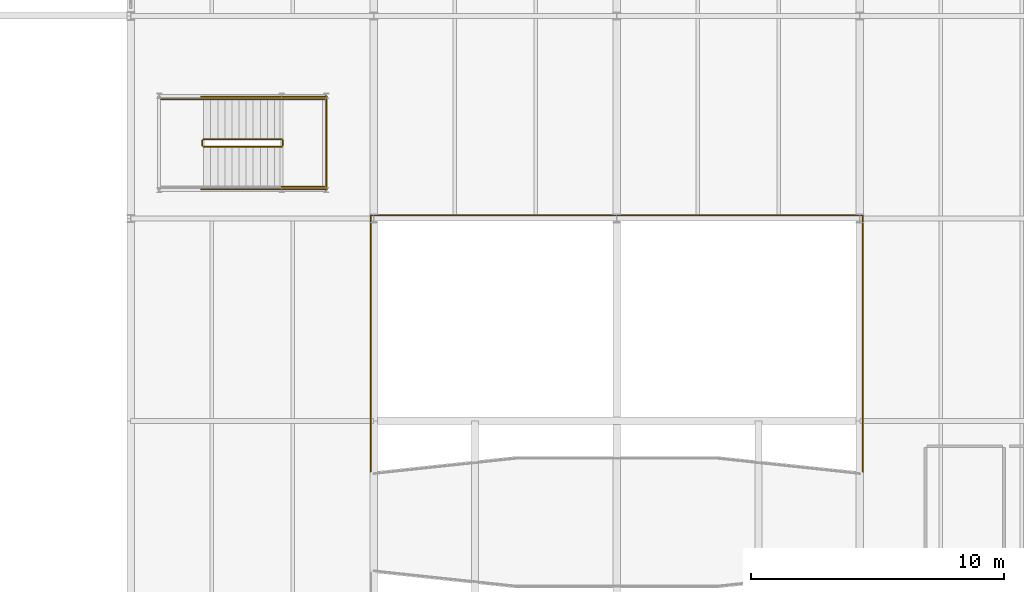
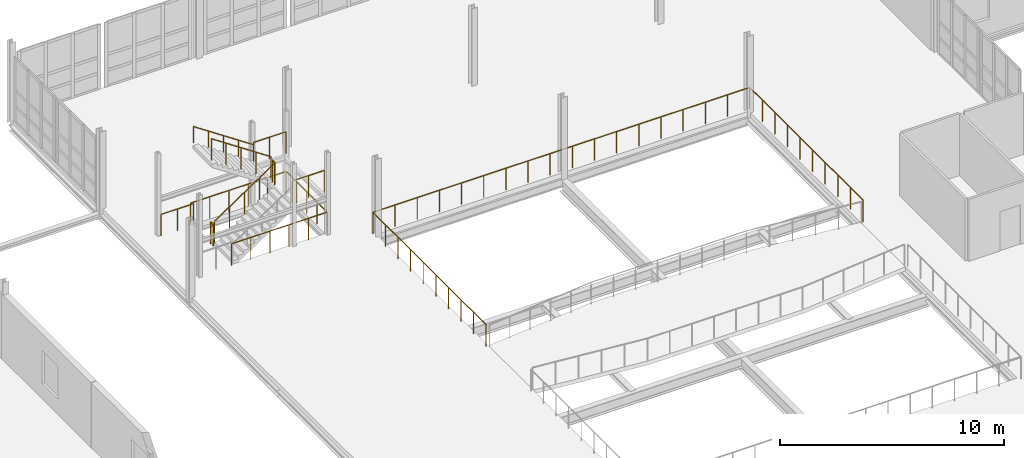
# One storey, part 69 of 73: 14 railings.
"""IFC4 building model written with IfcOpenShell, lengths in metres."""

from ifc_helpers import new_model, si_unit, direction, frame, origin, origin_2d, place, context, subcontext, project, spatial, circle, extrude, material, type_object, element, save


model = new_model("IFC4")

# Units and contexts
model_context = context("Model", 3, precision=1e-05, world=origin(), true_north=direction((0.0, 1.0)))
body_context = subcontext(model_context, "Body", "Model", "MODEL_VIEW")
ifc_project = project(units=[si_unit("LENGTHUNIT", "METRE"), si_unit("AREAUNIT", "SQUARE_METRE"), si_unit("VOLUMEUNIT", "CUBIC_METRE"), si_unit("PLANEANGLEUNIT", "RADIAN"), si_unit("MASSUNIT", "GRAM", prefix="KILO")], contexts=[model_context])

# Site, building, storey
site_placement = place(None, origin())
site = spatial("IfcSite", under=ifc_project, at=site_placement, CompositionType="ELEMENT")
building_placement = place(site_placement, origin())
building = spatial("IfcBuilding", under=site, at=building_placement, Name="Alderhovde Museum", CompositionType="ELEMENT")
storey_placement = place(building_placement, frame((0.0, 0.0, 12.89990234375)))
storey = spatial("IfcBuildingStorey", under=building, at=storey_placement, Name="L03", CompositionType="ELEMENT", Elevation=12.89990234375)

# Railings
ifc_material_1 = material(Name="Painted Steel S355 Guardrail", Category="steel")
railing_type_1 = type_object("IfcRailingType", Name="RL-GUARD-1200", PredefinedType="GUARDRAIL", material=ifc_material_1)
railing_1_placement = place(storey_placement, frame((79.679931640625, 74.830078125, 0.1875)))
element("IfcRailing", 1, at=railing_1_placement, inside=storey, type_object=railing_type_1, Name="L03 ST5 stair guard 1", PredefinedType="GUARDRAIL", context=body_context, shape_type="SweptSolid", body=[
    extrude(circle(Radius=0.02392578125, at=origin_2d()), frame((0.0, 0.0, 1.17578125), z_axis=(0.830913701846, 0.0, 0.55640131208), x_axis=(0.0, 1.0, 0.0)), (0.0, 0.0, 1.0), 3.706787109375),
    extrude(circle(Radius=0.02099609375, at=origin_2d()), origin(), (0.0, 0.0, 1.0), 1.15185546875),
    extrude(circle(Radius=0.02099609375, at=origin_2d()), frame((0.77001953125, 0.0, 0.515625)), (0.0, 0.0, 1.0), 1.15185546875),
    extrude(circle(Radius=0.02099609375, at=origin_2d()), frame((1.5400390625, 0.0, 1.03125)), (0.0, 0.0, 1.0), 1.15185546875),
    extrude(circle(Radius=0.02099609375, at=origin_2d()), frame((2.31005859375, 0.0, 1.546875)), (0.0, 0.0, 1.0), 1.15185546875),
    extrude(circle(Radius=0.02099609375, at=origin_2d()), frame((3.080078125, 0.0, 2.0625)), (0.0, 0.0, 1.0), 1.15185546875),
])
railing_2_placement = place(storey_placement, frame((82.81005859375, 74.8798828125, 2.25)))
element("IfcRailing", 2, at=railing_2_placement, inside=storey, type_object=railing_type_1, Name="L03 ST5 stair guard 2", PredefinedType="GUARDRAIL", context=body_context, shape_type="SweptSolid", body=[
    extrude(circle(Radius=0.02392578125, at=origin_2d()), frame((0.0, 0.0, 1.17578125), z_axis=(0.0, 1.0, 0.0), x_axis=(-1.0, 0.0, 0.0)), (0.0, 0.0, 1.0), 0.2001953125),
    extrude(circle(Radius=0.02099609375, at=origin_2d()), origin(), (0.0, 0.0, 1.0), 1.15185546875),
    extrude(circle(Radius=0.02099609375, at=origin_2d()), frame((0.0, 0.2001953125, 0.0)), (0.0, 0.0, 1.0), 1.15185546875),
])
for number, where, name in (
    (3, (82.760009765625, 73.25, 2.25), "L03 ST5 stair guard 3"),
    (4, (82.760009765625, 76.7099609375, 2.25), "L03 ST5 stair guard 4"),
):
    element("IfcRailing", number, at=place(storey_placement, frame(where)), inside=storey, type_object=railing_type_1, Name=name, PredefinedType="GUARDRAIL", context=body_context, shape_type="SweptSolid", body=[
        extrude(circle(Radius=0.02392578125, at=origin_2d()), frame((0.0, 0.0, 1.17578125), z_axis=(1.0, 0.0, 0.0), x_axis=(0.0, 1.0, 0.0)), (0.0, 0.0, 1.0), 1.679931640625),
        extrude(circle(Radius=0.02099609375, at=origin_2d()), origin(), (0.0, 0.0, 1.0), 1.15185546875),
        extrude(circle(Radius=0.02099609375, at=origin_2d()), frame((0.83984375, 0.0, 0.0)), (0.0, 0.0, 1.0), 1.15185546875),
        extrude(circle(Radius=0.02099609375, at=origin_2d()), frame((1.679931640625, 0.0, 0.0)), (0.0, 0.0, 1.0), 1.15185546875),
    ])
railing_3_placement = place(storey_placement, frame((82.760009765625, 75.1298828125, 2.4375)))
element("IfcRailing", 5, at=railing_3_placement, inside=storey, type_object=railing_type_1, Name="L03 ST5 stair guard 5", PredefinedType="GUARDRAIL", context=body_context, shape_type="SweptSolid", body=[
    extrude(circle(Radius=0.02392578125, at=origin_2d()), frame((0.0, 0.0, 1.17578125), z_axis=(-0.830913701846, 0.0, 0.55640131208), x_axis=(0.0, -1.0, 0.0)), (0.0, 0.0, 1.0), 3.706787109375),
    extrude(circle(Radius=0.02099609375, at=origin_2d()), origin(), (0.0, 0.0, 1.0), 1.15185546875),
    extrude(circle(Radius=0.02099609375, at=origin_2d()), frame((-0.77001953125, 0.0, 0.515625)), (0.0, 0.0, 1.0), 1.15185546875),
    extrude(circle(Radius=0.02099609375, at=origin_2d()), frame((-1.5400390625, 0.0, 1.03125)), (0.0, 0.0, 1.0), 1.15185546875),
    extrude(circle(Radius=0.02099609375, at=origin_2d()), frame((-2.31005859375, 0.0, 1.546875)), (0.0, 0.0, 1.0), 1.15185546875),
    extrude(circle(Radius=0.02099609375, at=origin_2d()), frame((-3.080078125, 0.0, 2.0625)), (0.0, 0.0, 1.0), 1.15185546875),
])
railing_4_placement = place(storey_placement, frame((79.6298828125, 74.8798828125, 0.0)))
element("IfcRailing", 6, at=railing_4_placement, inside=storey, type_object=railing_type_1, Name="L03 ST5 stair guard 6", PredefinedType="GUARDRAIL", context=body_context, shape_type="SweptSolid", body=[
    extrude(circle(Radius=0.02392578125, at=origin_2d()), frame((0.0, 0.0, 1.17578125), z_axis=(0.0, 1.0, 0.0), x_axis=(-1.0, 0.0, 0.0)), (0.0, 0.0, 1.0), 0.2001953125),
    extrude(circle(Radius=0.02099609375, at=origin_2d()), origin(), (0.0, 0.0, 1.0), 1.15185546875),
    extrude(circle(Radius=0.02099609375, at=origin_2d()), frame((0.0, 0.2001953125, 0.0)), (0.0, 0.0, 1.0), 1.15185546875),
])
railing_5_placement = place(storey_placement, frame((78.0, 76.7099609375, 0.0)))
element("IfcRailing", 7, at=railing_5_placement, inside=storey, type_object=railing_type_1, Name="L03 ST5 stair guard 8", PredefinedType="GUARDRAIL", context=body_context, shape_type="SweptSolid", body=[
    extrude(circle(Radius=0.02392578125, at=origin_2d()), frame((0.0, 0.0, 1.17578125), z_axis=(1.0, 0.0, 0.0), x_axis=(0.0, 1.0, 0.0)), (0.0, 0.0, 1.0), 1.679931640625),
    extrude(circle(Radius=0.02099609375, at=origin_2d()), origin(), (0.0, 0.0, 1.0), 1.15185546875),
    extrude(circle(Radius=0.02099609375, at=origin_2d()), frame((0.83984375, 0.0, 0.0)), (0.0, 0.0, 1.0), 1.15185546875),
    extrude(circle(Radius=0.02099609375, at=origin_2d()), frame((1.679931640625, 0.0, 0.0)), (0.0, 0.0, 1.0), 1.15185546875),
])
for number, where, name in (
    (8, (79.580078125, 73.14990234375, 0.0), "L03 ST5 stair guard 9"),
    (9, (79.580078125, 76.81005859375, 0.0), "L03 ST5 stair guard 10"),
):
    element("IfcRailing", number, at=place(storey_placement, frame(where)), inside=storey, type_object=railing_type_1, Name=name, PredefinedType="GUARDRAIL", context=body_context, shape_type="SweptSolid", body=[
        extrude(circle(Radius=0.02392578125, at=origin_2d()), frame((0.0, 0.0, 1.17578125), z_axis=(1.0, 0.0, 0.0), x_axis=(0.0, 1.0, 0.0)), (0.0, 0.0, 1.0), 4.9599609375),
        extrude(circle(Radius=0.02099609375, at=origin_2d()), origin(), (0.0, 0.0, 1.0), 1.15185546875),
        extrude(circle(Radius=0.02099609375, at=origin_2d()), frame((0.991943359375, 0.0, 0.0)), (0.0, 0.0, 1.0), 1.15185546875),
        extrude(circle(Radius=0.02099609375, at=origin_2d()), frame((1.98388671875, 0.0, 0.0)), (0.0, 0.0, 1.0), 1.15185546875),
        extrude(circle(Radius=0.02099609375, at=origin_2d()), frame((2.97607421875, 0.0, 0.0)), (0.0, 0.0, 1.0), 1.15185546875),
        extrude(circle(Radius=0.02099609375, at=origin_2d()), frame((3.968017578125, 0.0, 0.0)), (0.0, 0.0, 1.0), 1.15185546875),
        extrude(circle(Radius=0.02099609375, at=origin_2d()), frame((4.9599609375, 0.0, 0.0)), (0.0, 0.0, 1.0), 1.15185546875),
    ])
railing_6_placement = place(storey_placement, frame((86.280029296875, 72.1201171875, 0.0)))
element("IfcRailing", 10, at=railing_6_placement, inside=storey, type_object=railing_type_1, Name="L03 Conservatory Void North Guardrail", PredefinedType="GUARDRAIL", context=body_context, shape_type="SweptSolid", body=[
    extrude(circle(Radius=0.02392578125, at=origin_2d()), frame((0.0, 0.0, 1.17578125), z_axis=(1.0, 0.0, 0.0), x_axis=(0.0, 1.0, 0.0)), (0.0, 0.0, 1.0), 19.43994140625),
    extrude(circle(Radius=0.02099609375, at=origin_2d()), origin(), (0.0, 0.0, 1.0), 1.15185546875),
    extrude(circle(Radius=0.02099609375, at=origin_2d()), frame((1.1435546875, 0.0, 0.0)), (0.0, 0.0, 1.0), 1.15185546875),
    extrude(circle(Radius=0.02099609375, at=origin_2d()), frame((2.287109375, 0.0, 0.0)), (0.0, 0.0, 1.0), 1.15185546875),
    extrude(circle(Radius=0.02099609375, at=origin_2d()), frame((3.4306640625, 0.0, 0.0)), (0.0, 0.0, 1.0), 1.15185546875),
    extrude(circle(Radius=0.02099609375, at=origin_2d()), frame((4.57421875, 0.0, 0.0)), (0.0, 0.0, 1.0), 1.15185546875),
    extrude(circle(Radius=0.02099609375, at=origin_2d()), frame((5.717529296875, 0.0, 0.0)), (0.0, 0.0, 1.0), 1.15185546875),
    extrude(circle(Radius=0.02099609375, at=origin_2d()), frame((6.861083984375, 0.0, 0.0)), (0.0, 0.0, 1.0), 1.15185546875),
    extrude(circle(Radius=0.02099609375, at=origin_2d()), frame((8.004638671875, 0.0, 0.0)), (0.0, 0.0, 1.0), 1.15185546875),
    extrude(circle(Radius=0.02099609375, at=origin_2d()), frame((9.148193359375, 0.0, 0.0)), (0.0, 0.0, 1.0), 1.15185546875),
    extrude(circle(Radius=0.02099609375, at=origin_2d()), frame((10.291748046875, 0.0, 0.0)), (0.0, 0.0, 1.0), 1.15185546875),
    extrude(circle(Radius=0.02099609375, at=origin_2d()), frame((11.435302734375, 0.0, 0.0)), (0.0, 0.0, 1.0), 1.15185546875),
    extrude(circle(Radius=0.02099609375, at=origin_2d()), frame((12.578857421875, 0.0, 0.0)), (0.0, 0.0, 1.0), 1.15185546875),
    extrude(circle(Radius=0.02099609375, at=origin_2d()), frame((13.722412109375, 0.0, 0.0)), (0.0, 0.0, 1.0), 1.15185546875),
    extrude(circle(Radius=0.02099609375, at=origin_2d()), frame((14.86572265625, 0.0, 0.0)), (0.0, 0.0, 1.0), 1.15185546875),
    extrude(circle(Radius=0.02099609375, at=origin_2d()), frame((16.00927734375, 0.0, 0.0)), (0.0, 0.0, 1.0), 1.15185546875),
    extrude(circle(Radius=0.02099609375, at=origin_2d()), frame((17.15283203125, 0.0, 0.0)), (0.0, 0.0, 1.0), 1.15185546875),
    extrude(circle(Radius=0.02099609375, at=origin_2d()), frame((18.29638671875, 0.0, 0.0)), (0.0, 0.0, 1.0), 1.15185546875),
    extrude(circle(Radius=0.02099609375, at=origin_2d()), frame((19.43994140625, 0.0, 0.0)), (0.0, 0.0, 1.0), 1.15185546875),
])
for number, where, name in (
    (11, (86.280029296875, 62.0, 0.0), "L03 Conservatory Void West Guardrail N"),
    (12, (105.719970703125, 62.0, 0.0), "L03 Conservatory Void East Guardrail N"),
):
    element("IfcRailing", number, at=place(storey_placement, frame(where)), inside=storey, type_object=railing_type_1, Name=name, PredefinedType="GUARDRAIL", context=body_context, shape_type="SweptSolid", body=[
        extrude(circle(Radius=0.02392578125, at=origin_2d()), frame((0.0, 0.0, 1.17578125), z_axis=(0.0, 1.0, 0.0), x_axis=(-1.0, 0.0, 0.0)), (0.0, 0.0, 1.0), 10.1201171875),
        extrude(circle(Radius=0.02099609375, at=origin_2d()), origin(), (0.0, 0.0, 1.0), 1.15185546875),
        extrude(circle(Radius=0.02099609375, at=origin_2d()), frame((0.0, 1.12451171875, 0.0)), (0.0, 0.0, 1.0), 1.15185546875),
        extrude(circle(Radius=0.02099609375, at=origin_2d()), frame((0.0, 2.2490234375, 0.0)), (0.0, 0.0, 1.0), 1.15185546875),
        extrude(circle(Radius=0.02099609375, at=origin_2d()), frame((0.0, 3.373291015625, 0.0)), (0.0, 0.0, 1.0), 1.15185546875),
        extrude(circle(Radius=0.02099609375, at=origin_2d()), frame((0.0, 4.497802734375, 0.0)), (0.0, 0.0, 1.0), 1.15185546875),
        extrude(circle(Radius=0.02099609375, at=origin_2d()), frame((0.0, 5.622314453125, 0.0)), (0.0, 0.0, 1.0), 1.15185546875),
        extrude(circle(Radius=0.02099609375, at=origin_2d()), frame((0.0, 6.746826171875, 0.0)), (0.0, 0.0, 1.0), 1.15185546875),
        extrude(circle(Radius=0.02099609375, at=origin_2d()), frame((0.0, 7.87109375, 0.0)), (0.0, 0.0, 1.0), 1.15185546875),
        extrude(circle(Radius=0.02099609375, at=origin_2d()), frame((0.0, 8.99560546875, 0.0)), (0.0, 0.0, 1.0), 1.15185546875),
        extrude(circle(Radius=0.02099609375, at=origin_2d()), frame((0.0, 10.1201171875, 0.0)), (0.0, 0.0, 1.0), 1.15185546875),
    ])
railing_7_placement = place(storey_placement, frame((84.52001953125, 73.1201171875, 0.0)))
element("IfcRailing", 13, at=railing_7_placement, inside=storey, type_object=railing_type_1, Name="L03 Conservatory Stair ST5 East Well Guardrail", PredefinedType="GUARDRAIL", context=body_context, shape_type="SweptSolid", body=[
    extrude(circle(Radius=0.02392578125, at=origin_2d()), frame((0.0, 0.0, 1.17578125), z_axis=(0.0, 1.0, 0.0), x_axis=(-1.0, 0.0, 0.0)), (0.0, 0.0, 1.0), 3.719970703125),
    extrude(circle(Radius=0.02099609375, at=origin_2d()), origin(), (0.0, 0.0, 1.0), 1.15185546875),
    extrude(circle(Radius=0.02099609375, at=origin_2d()), frame((0.0, 0.929931640625, 0.0)), (0.0, 0.0, 1.0), 1.15185546875),
    extrude(circle(Radius=0.02099609375, at=origin_2d()), frame((0.0, 1.85986328125, 0.0)), (0.0, 0.0, 1.0), 1.15185546875),
    extrude(circle(Radius=0.02099609375, at=origin_2d()), frame((0.0, 2.7900390625, 0.0)), (0.0, 0.0, 1.0), 1.15185546875),
    extrude(circle(Radius=0.02099609375, at=origin_2d()), frame((0.0, 3.719970703125, 0.0)), (0.0, 0.0, 1.0), 1.15185546875),
])
ifc_material_2 = material(Name="Brushed Stainless Steel Handrail", Category="steel")
railing_type_2 = type_object("IfcRailingType", Name="RL-HANDRAIL-900", PredefinedType="HANDRAIL", material=ifc_material_2)
railing_8_placement = place(storey_placement, frame((82.760009765625, 76.7099609375, 2.4375)))
element("IfcRailing", 14, at=railing_8_placement, inside=storey, type_object=railing_type_2, Name="L03 ST5 stair handrail 2", PredefinedType="HANDRAIL", context=body_context, shape_type="SweptSolid", body=[
    extrude(circle(Radius=0.02392578125, at=origin_2d()), frame((0.0, 0.0, 0.8759765625), z_axis=(-0.830913701846, 0.0, 0.55640131208), x_axis=(0.0, -1.0, 0.0)), (0.0, 0.0, 1.0), 3.706787109375),
    extrude(circle(Radius=0.02099609375, at=origin_2d()), origin(), (0.0, 0.0, 1.0), 0.851806640625),
    extrude(circle(Radius=0.02099609375, at=origin_2d()), frame((-0.77001953125, 0.0, 0.515625)), (0.0, 0.0, 1.0), 0.851806640625),
    extrude(circle(Radius=0.02099609375, at=origin_2d()), frame((-1.5400390625, 0.0, 1.03125)), (0.0, 0.0, 1.0), 0.851806640625),
    extrude(circle(Radius=0.02099609375, at=origin_2d()), frame((-2.31005859375, 0.0, 1.546875)), (0.0, 0.0, 1.0), 0.851806640625),
    extrude(circle(Radius=0.02099609375, at=origin_2d()), frame((-3.080078125, 0.0, 2.0625)), (0.0, 0.0, 1.0), 0.851806640625),
])

save(model, "model.ifc")
